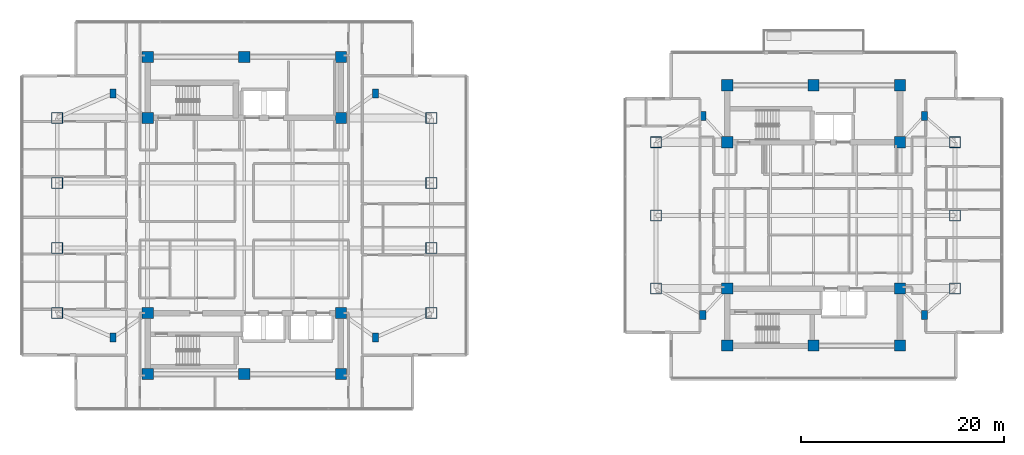
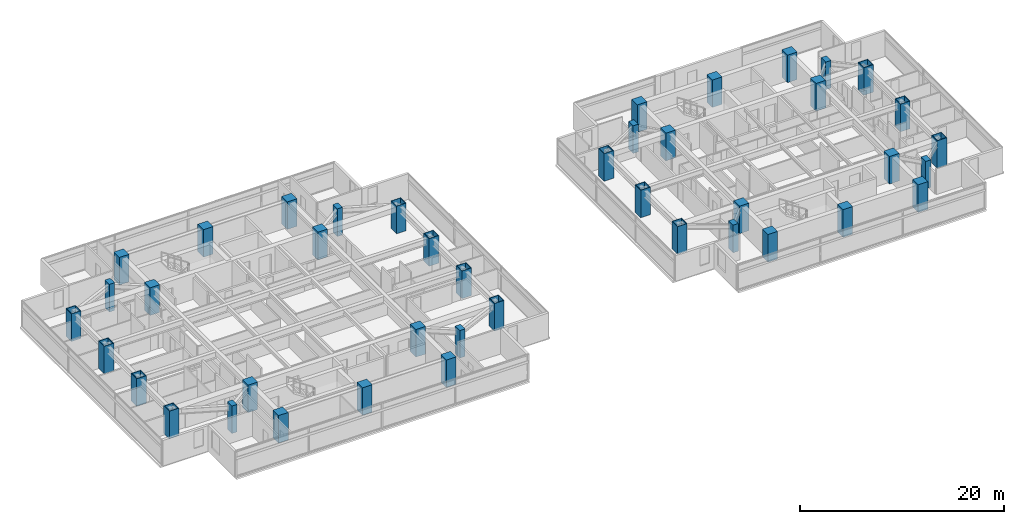
# One storey, part 1 of 24: 42 columns.
"""IFC4 building model written with IfcOpenShell, lengths in metres."""

from ifc_helpers import new_model, si_unit, direction, frame, origin, origin_2d, place, context, subcontext, project, spatial, rectangle, hollow_rectangle, extrude, material, material_profile, profile_set, type_object, element, save


model = new_model("IFC4")

# Units and contexts
model_context = context("Model", 3, precision=1e-05, world=origin(), true_north=direction((0.0, 1.0)))
body_context = subcontext(model_context, "Body", "Model", "MODEL_VIEW")
ifc_project = project(units=[si_unit("LENGTHUNIT", "METRE"), si_unit("AREAUNIT", "SQUARE_METRE"), si_unit("VOLUMEUNIT", "CUBIC_METRE"), si_unit("PLANEANGLEUNIT", "RADIAN"), si_unit("MASSUNIT", "GRAM", prefix="KILO")], contexts=[model_context])

# Site, building, storey
site_placement = place(None, origin())
site = spatial("IfcSite", under=ifc_project, at=site_placement, CompositionType="ELEMENT")
building_placement = place(site_placement, origin())
building = spatial("IfcBuilding", under=site, at=building_placement, Name="Mirazonda Arch Towers", CompositionType="ELEMENT")
storey_placement = place(building_placement, frame((0.0, 0.0, 141.199951171875)))
storey = spatial("IfcBuildingStorey", under=building, at=storey_placement, Name="L40", CompositionType="ELEMENT", Elevation=141.199951171875)

# Columns
ifc_material_1 = material(Name="Concrete C50/60", Category="concrete")
ifc_material_profile_1 = material_profile(ifc_material_1, rectangle(XDim=1.10009765625, YDim=1.10009765625, at=origin_2d()), Name="RC1100x1100")
ifc_profile_set_1 = profile_set([ifc_material_profile_1], Name="Concrete C50/60")
column_type_1 = type_object("IfcColumnType", Name="COL-INT-RC1100x1100", PredefinedType="COLUMN", material=ifc_profile_set_1)
for number, where, z_axis, x_axis, name in (
    (1, (11.0, 12.39990234375, 0.0), (0.0, 0.0, 1.0), (1.0, 0.0, 0.0), "L40 T1 Core Column 01"),
    (2, (20.5, 12.39990234375, 0.0), (0.0, 0.0, 1.0), (1.0, 0.0, 0.0), "L40 T1 Core Column 02"),
    (3, (30.0, 12.39990234375, 0.0), (0.0, 0.0, 1.0), (1.0, 0.0, 0.0), "L40 T1 Core Column 03"),
    (4, (11.0, 18.39990234375, 0.0), (0.0, 0.0, 1.0), (1.0, 0.0, 0.0), "L40 T1 Core Column 04"),
    (5, (30.0, 18.39990234375, 0.0), (0.0, 0.0, 1.0), (1.0, 0.0, 0.0), "L40 T1 Core Column 05"),
    (6, (11.0, 37.60009765625, 0.0), (0.0, 0.0, 1.0), (1.0, 0.0, 0.0), "L40 T1 Core Column 06"),
    (7, (30.0, 37.60009765625, 0.0), (0.0, 0.0, 1.0), (1.0, 0.0, 0.0), "L40 T1 Core Column 07"),
    (8, (11.0, 43.60009765625, 0.0), (0.0, 0.0, 1.0), (1.0, 0.0, 0.0), "L40 T1 Core Column 08"),
    (9, (20.5, 43.60009765625, 0.0), (0.0, 0.0, 1.0), (1.0, 0.0, 0.0), "L40 T1 Core Column 09"),
    (10, (30.0, 43.60009765625, 0.0), (0.0, 0.0, 1.0), (1.0, 0.0, 0.0), "L40 T1 Core Column 10"),
    (11, (68.0, 15.199951171875, 0.0), (0.0, 0.0, 1.0), (1.0, 0.0, 0.0), "L40 T2 Core Column 01"),
    (12, (76.5, 15.199951171875, 0.0), (0.0, 0.0, 1.0), (1.0, 0.0, 0.0), "L40 T2 Core Column 02"),
    (13, (85.0, 15.199951171875, 0.0), (0.0, 0.0, 1.0), (1.0, 0.0, 0.0), "L40 T2 Core Column 03"),
    (14, (68.0, 20.800048828125, 0.0), (0.0, 0.0, 1.0), (1.0, 0.0, 0.0), "L40 T2 Core Column 04"),
    (15, (85.0, 20.800048828125, 0.0), (0.0, 0.0, 1.0), (1.0, 0.0, 0.0), "L40 T2 Core Column 05"),
    (16, (68.0, 35.199951171875, 0.0), (0.0, 0.0, 1.0), (1.0, 0.0, 0.0), "L40 T2 Core Column 06"),
    (17, (85.0, 35.199951171875, 0.0), (0.0, 0.0, 1.0), (1.0, 0.0, 0.0), "L40 T2 Core Column 07"),
    (18, (68.0, 40.800048828125, 0.0), (0.0, 0.0, 1.0), (1.0, 0.0, 0.0), "L40 T2 Core Column 08"),
    (19, (76.5, 40.800048828125, 0.0), (0.0, 0.0, 1.0), (1.0, 0.0, 0.0), "L40 T2 Core Column 09"),
    (20, (85.0, 40.800048828125, 0.0), (0.0, 0.0, 1.0), (1.0, 0.0, 0.0), "L40 T2 Core Column 10"),
):
    element("IfcColumn", number, at=place(storey_placement, frame(where, z_axis=z_axis, x_axis=x_axis)), inside=storey, type_object=column_type_1, Name=name, PredefinedType="COLUMN", context=body_context, shape_type="SweptSolid", body=[
        extrude(rectangle(XDim=1.10009765625, YDim=1.10009765625, at=origin_2d()), origin(), (0.0, 0.0, 1.0), 3.300048828125),
    ])
ifc_material_2 = material(Name="Steel ASTM A572 Grade 50", Category="steel")
ifc_material_profile_2 = material_profile(ifc_material_2, hollow_rectangle(XDim=1.10009765625, YDim=1.10009765625, WallThickness=0.06005859375, at=origin_2d()), Name="BOX1100x1100x60")
ifc_profile_set_2 = profile_set([ifc_material_profile_2], Name="Steel ASTM A572 Grade 50")
column_type_2 = type_object("IfcColumnType", Name="MCOL-EXT-BOX1100x1100x60", PredefinedType="COLUMN", material=ifc_profile_set_2)
for number, where, z_axis, x_axis, name in (
    (21, (2.10009765625, 18.39990234375, 0.0), (0.0, 0.0, 1.0), (1.0, 0.0, 0.0), "L40 T1 Composite Mega-Column 01"),
    (22, (2.10009765625, 24.800048828125, 0.0), (0.0, 0.0, 1.0), (1.0, 0.0, 0.0), "L40 T1 Composite Mega-Column 02"),
    (23, (2.10009765625, 31.199951171875, 0.0), (0.0, 0.0, 1.0), (1.0, 0.0, 0.0), "L40 T1 Composite Mega-Column 03"),
    (24, (2.10009765625, 37.60009765625, 0.0), (0.0, 0.0, 1.0), (1.0, 0.0, 0.0), "L40 T1 Composite Mega-Column 04"),
    (25, (38.89990234375, 18.39990234375, 0.0), (0.0, 0.0, 1.0), (1.0, 0.0, 0.0), "L40 T1 Composite Mega-Column 05"),
    (26, (38.89990234375, 24.800048828125, 0.0), (0.0, 0.0, 1.0), (1.0, 0.0, 0.0), "L40 T1 Composite Mega-Column 06"),
    (27, (38.89990234375, 31.199951171875, 0.0), (0.0, 0.0, 1.0), (1.0, 0.0, 0.0), "L40 T1 Composite Mega-Column 07"),
    (28, (38.89990234375, 37.60009765625, 0.0), (0.0, 0.0, 1.0), (1.0, 0.0, 0.0), "L40 T1 Composite Mega-Column 08"),
    (29, (61.0, 20.800048828125, 0.0), (0.0, 0.0, 1.0), (1.0, 0.0, 0.0), "L40 T2 Composite Mega-Column 01"),
    (30, (61.0, 28.0, 0.0), (0.0, 0.0, 1.0), (1.0, 0.0, 0.0), "L40 T2 Composite Mega-Column 02"),
    (31, (61.0, 35.199951171875, 0.0), (0.0, 0.0, 1.0), (1.0, 0.0, 0.0), "L40 T2 Composite Mega-Column 03"),
    (32, (90.39990234375, 20.800048828125, 0.0), (0.0, 0.0, 1.0), (1.0, 0.0, 0.0), "L40 T2 Composite Mega-Column 04"),
    (33, (90.39990234375, 28.0, 0.0), (0.0, 0.0, 1.0), (1.0, 0.0, 0.0), "L40 T2 Composite Mega-Column 05"),
    (34, (90.39990234375, 35.199951171875, 0.0), (0.0, 0.0, 1.0), (1.0, 0.0, 0.0), "L40 T2 Composite Mega-Column 06"),
):
    element("IfcColumn", number, at=place(storey_placement, frame(where, z_axis=z_axis, x_axis=x_axis)), inside=storey, type_object=column_type_2, Name=name, PredefinedType="COLUMN", context=body_context, shape_type="SweptSolid", body=[
        extrude(hollow_rectangle(XDim=1.10009765625, YDim=1.10009765625, WallThickness=0.06005859375, at=origin_2d()), origin(), (0.0, 0.0, 1.0), 3.300048828125),
    ])
ifc_material_profile_3 = material_profile(ifc_material_1, rectangle(XDim=0.60009765625, YDim=0.89990234375, at=origin_2d()), Name="RC900x600")
ifc_profile_set_3 = profile_set([ifc_material_profile_3], Name="Concrete C50/60")
column_type_3 = type_object("IfcColumnType", Name="PIL-EXT-RC900x600", PredefinedType="PILASTER", material=ifc_profile_set_3)
for number, where, z_axis, x_axis, name in (
    (35, (7.60009765625, 16.0, 0.0), (0.0, 0.0, 1.0), (1.0, 0.0, 0.0), "L40 T1 Corner Pilaster 01"),
    (36, (33.39990234375, 16.0, 0.0), (0.0, 0.0, 1.0), (1.0, 0.0, 0.0), "L40 T1 Corner Pilaster 02"),
    (37, (7.60009765625, 40.0, 0.0), (0.0, 0.0, 1.0), (1.0, 0.0, 0.0), "L40 T1 Corner Pilaster 03"),
    (38, (33.39990234375, 40.0, 0.0), (0.0, 0.0, 1.0), (1.0, 0.0, 0.0), "L40 T1 Corner Pilaster 04"),
    (39, (65.60009765625, 18.199951171875, 0.0), (0.0, 0.0, 1.0), (1.0, 0.0, 0.0), "L40 T2 Corner Pilaster 01"),
    (40, (87.39990234375, 18.199951171875, 0.0), (0.0, 0.0, 1.0), (1.0, 0.0, 0.0), "L40 T2 Corner Pilaster 02"),
    (41, (65.60009765625, 37.800048828125, 0.0), (0.0, 0.0, 1.0), (1.0, 0.0, 0.0), "L40 T2 Corner Pilaster 03"),
    (42, (87.39990234375, 37.800048828125, 0.0), (0.0, 0.0, 1.0), (1.0, 0.0, 0.0), "L40 T2 Corner Pilaster 04"),
):
    element("IfcColumn", number, at=place(storey_placement, frame(where, z_axis=z_axis, x_axis=x_axis)), inside=storey, type_object=column_type_3, Name=name, PredefinedType="PILASTER", context=body_context, shape_type="SweptSolid", body=[
        extrude(rectangle(XDim=0.60009765625, YDim=0.89990234375, at=origin_2d()), origin(), (0.0, 0.0, 1.0), 3.300048828125),
    ])

save(model, "model.ifc")
